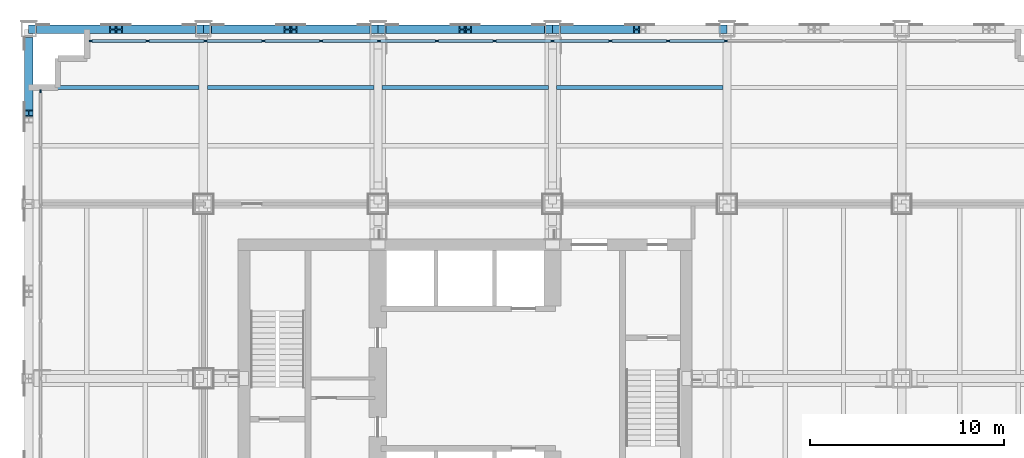
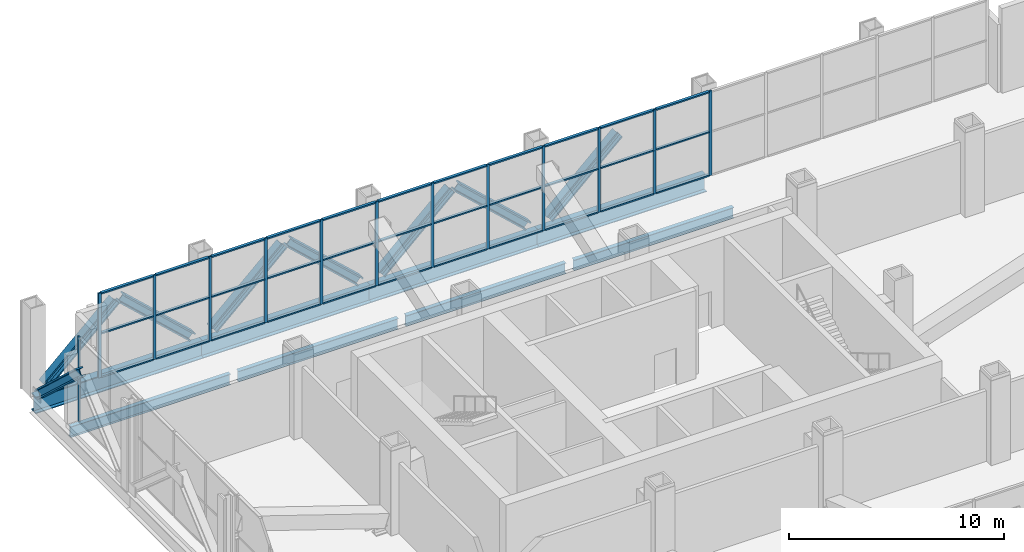
# One storey, part 8 of 19: 54 members, 8 beams, 2 elements without a shape of their own.
"""IFC4 building model written with IfcOpenShell, lengths in metres."""

from ifc_helpers import new_model, si_unit, direction, frame, origin, origin_2d, place, context, subcontext, project, spatial, rectangle, i_section, extrude, material, material_profile, profile_set, type_object, element, aggregate, save


model = new_model("IFC4")

# Units and contexts
model_context = context("Model", 3, precision=1e-05, world=origin(), true_north=direction((0.0, 1.0)))
body_context = subcontext(model_context, "Body", "Model", "MODEL_VIEW")
ifc_project = project(units=[si_unit("LENGTHUNIT", "METRE"), si_unit("AREAUNIT", "SQUARE_METRE"), si_unit("VOLUMEUNIT", "CUBIC_METRE"), si_unit("PLANEANGLEUNIT", "RADIAN"), si_unit("MASSUNIT", "GRAM", prefix="KILO")], contexts=[model_context])

# Site, building, storey
site_placement = place(None, origin())
site = spatial("IfcSite", under=ifc_project, at=site_placement, CompositionType="ELEMENT")
building_placement = place(site_placement, origin())
building = spatial("IfcBuilding", under=site, at=building_placement, Name="Loomwork Tower", CompositionType="ELEMENT")
storey_placement = place(building_placement, frame((0.0, 0.0, 89.199951171875)))
storey = spatial("IfcBuildingStorey", under=building, at=storey_placement, Name="L23", CompositionType="ELEMENT", Elevation=89.199951171875)

# Beams
ifc_material_1 = material(Name="Steel ASTM A992", Category="steel")
ifc_material_profile_1 = material_profile(ifc_material_1, i_section(OverallWidth=0.424072265625, OverallDepth=0.947509765625, WebThickness=0.02392578125, FlangeThickness=0.042724609375, at=origin_2d()), Name="W36x302")
ifc_profile_set_1 = profile_set([ifc_material_profile_1], Name="Steel ASTM A992")
beam_type_1 = type_object("IfcBeamType", Name="BELT CHORD SPANDREL W36x302", PredefinedType="SPANDREL", material=ifc_profile_set_1)
for number, where, z_axis, x_axis, name in (
    (1, (0.0, 36.0, -0.7236328125), (1.0, 0.0, 0.0), (0.0, 1.0, 0.0), "Belt Chord Spandrel H/2-H/3 L23"),
    (2, (9.0, 36.0, -0.7236328125), (1.0, 0.0, 0.0), (0.0, 1.0, 0.0), "Belt Chord Spandrel H/3-H/4 L23"),
    (3, (18.0, 36.0, -0.7236328125), (1.0, 0.0, 0.0), (0.0, 1.0, 0.0), "Belt Chord Spandrel H/4-H/5 L23"),
    (4, (27.0, 36.0, -0.7236328125), (1.0, 0.0, 0.0), (0.0, 1.0, 0.0), "Belt Chord Spandrel H/5-H/6 L23"),
):
    element("IfcBeam", number, at=place(storey_placement, frame(where, z_axis=z_axis, x_axis=x_axis)), inside=storey, type_object=beam_type_1, Name=name, PredefinedType="SPANDREL", context=body_context, shape_type="SweptSolid", body=[
        extrude(i_section(OverallWidth=0.424072265625, OverallDepth=0.947509765625, WebThickness=0.02392578125, FlangeThickness=0.042724609375, at=origin_2d()), origin(), (0.0, 0.0, 1.0), 9.0),
    ])

# Members
ifc_material_2 = material(Name="Steel ASTM A992", Category="steel")
ifc_material_profile_2 = material_profile(ifc_material_2, i_section(OverallWidth=0.424072265625, OverallDepth=0.47509765625, WebThickness=0.0478515625, FlangeThickness=0.0771484375, at=origin_2d()), Name="W14x426")
ifc_profile_set_2 = profile_set([ifc_material_profile_2], Name="Steel ASTM A992")
member_type_1 = type_object("IfcMemberType", Name="BELT TRUSS DIAGONAL W14x426", PredefinedType="BRACE", material=ifc_profile_set_2)
for number, where, z_axis, x_axis, name in (
    (5, (0.5712890625, 36.0, 0.184326171875), (0.733437826244, 0.0, 0.679756541001), (0.0, 1.0, 0.0), "Belt truss diagonal H/2-H/3 L23"),
    (6, (8.4287109375, 36.0, 0.184326171875), (-0.733437826244, 0.0, 0.679756541001), (0.0, -1.0, 0.0), "Belt truss diagonal H/2-H/3 L23"),
    (7, (9.5712890625, 36.0, 0.184326171875), (0.733437826244, 0.0, 0.679756541001), (0.0, 1.0, 0.0), "Belt truss diagonal H/3-H/4 L23"),
    (8, (17.4287109375, 36.0, 0.184326171875), (-0.733437826244, 0.0, 0.679756541001), (0.0, -1.0, 0.0), "Belt truss diagonal H/3-H/4 L23"),
    (9, (18.5712890625, 36.0, 0.184326171875), (0.733437826244, 0.0, 0.679756541001), (0.0, 1.0, 0.0), "Belt truss diagonal H/4-H/5 L23"),
    (10, (26.4287109375, 36.0, 0.184326171875), (-0.733437826244, 0.0, 0.679756541001), (0.0, -1.0, 0.0), "Belt truss diagonal H/4-H/5 L23"),
    (11, (27.5712890625, 36.0, 0.184326171875), (0.733437826244, 0.0, 0.679756541001), (0.0, 1.0, 0.0), "Belt truss diagonal H/5-H/6 L23"),
    (12, (0.0, 35.4287109375, 0.184326171875), (0.0, -0.733437826244, 0.679756541001), (1.0, 0.0, 0.0), "Belt truss diagonal G/2-H/2 L23"),
):
    element("IfcMember", number, at=place(storey_placement, frame(where, z_axis=z_axis, x_axis=x_axis)), inside=storey, type_object=member_type_1, Name=name, PredefinedType="BRACE", context=body_context, shape_type="SweptSolid", body=[
        extrude(i_section(OverallWidth=0.424072265625, OverallDepth=0.47509765625, WebThickness=0.0478515625, FlangeThickness=0.0771484375, at=origin_2d()), origin(), (0.0, 0.0, 1.0), 5.12548828125),
    ])

# Beams
ifc_material_3 = material(Name="Steel ASTM A992", Category="steel")
ifc_material_profile_3 = material_profile(ifc_material_3, i_section(OverallWidth=0.228271484375, OverallDepth=0.607177734375, WebThickness=0.01123046875, FlangeThickness=0.017333984375, at=origin_2d()), Name="W24x76")
ifc_profile_set_3 = profile_set([ifc_material_profile_3], Name="Steel ASTM A992")
beam_type_2 = type_object("IfcBeamType", Name="PLANT FLOOR JOIST W24x76", PredefinedType="JOIST", material=ifc_profile_set_3)
for number, where, z_axis, x_axis, name in (
    (13, (0.2119140625, 33.0, -0.553466796875), (1.0, 0.0, 0.0), (0.0, 1.0, 0.0), "Plant Floor Joist 0.000,33.000-9.000,33.000 L23"),
    (14, (9.212890625, 33.0, -0.553466796875), (1.0, 0.0, 0.0), (0.0, 1.0, 0.0), "Plant Floor Joist 9.000,33.000-18.000,33.000 L23"),
):
    element("IfcBeam", number, at=place(storey_placement, frame(where, z_axis=z_axis, x_axis=x_axis)), inside=storey, type_object=beam_type_2, Name=name, PredefinedType="JOIST", context=body_context, shape_type="SweptSolid", body=[
        extrude(i_section(OverallWidth=0.228271484375, OverallDepth=0.607177734375, WebThickness=0.01123046875, FlangeThickness=0.017333984375, at=origin_2d()), origin(), (0.0, 0.0, 1.0), 8.5751953125),
    ])
beam_1_placement = place(storey_placement, frame((18.2119140625, 33.0, -0.553466796875), z_axis=(1.0, 0.0, 0.0), x_axis=(0.0, 1.0, 0.0)))
element("IfcBeam", 15, at=beam_1_placement, inside=storey, type_object=beam_type_2, Name="Plant Floor Joist 18.000,33.000-27.000,33.000 L23", PredefinedType="JOIST", context=body_context, shape_type="SweptSolid", body=[
    extrude(i_section(OverallWidth=0.228271484375, OverallDepth=0.607177734375, WebThickness=0.01123046875, FlangeThickness=0.017333984375, at=origin_2d()), origin(), (0.0, 0.0, 1.0), 8.576171875),
])
beam_2_placement = place(storey_placement, frame((27.2119140625, 33.0, -0.553466796875), z_axis=(1.0, 0.0, 0.0), x_axis=(0.0, 1.0, 0.0)))
element("IfcBeam", 16, at=beam_2_placement, inside=storey, type_object=beam_type_2, Name="Plant Floor Joist 27.000,33.000-36.000,33.000 L23", PredefinedType="JOIST", context=body_context, shape_type="SweptSolid", body=[
    extrude(i_section(OverallWidth=0.228271484375, OverallDepth=0.607177734375, WebThickness=0.01123046875, FlangeThickness=0.017333984375, at=origin_2d()), origin(), (0.0, 0.0, 1.0), 8.5751953125),
])

# Curtain wall, members
ifc_material_4 = material(Name="Aluminium louvre frame", Category="aluminium")
curtain_wall_type = type_object("IfcCurtainWallType", Name="Plant floor louvre screen", PredefinedType="NOTDEFINED", material=ifc_material_4)
curtain_wall_1_placement = place(storey_placement, origin())
curtain_wall_1 = element("IfcCurtainWall", 17, at=curtain_wall_1_placement, inside=storey, type_object=curtain_wall_type, Name="Plant floor louvre screen cw/N", PredefinedType="NOTDEFINED")
ifc_material_5 = material(Name="Aluminium louvre frame", Category="aluminium")
ifc_material_profile_4 = material_profile(ifc_material_5, rectangle(XDim=0.080078125, YDim=0.14990234375, at=origin_2d()), Name="AL 80x150")
ifc_profile_set_4 = profile_set([ifc_material_profile_4], Name="Aluminium louvre frame")
member_type_2 = type_object("IfcMemberType", Name="Plant floor louvre screen mullion", PredefinedType="MULLION", material=ifc_profile_set_4)
member_1_placement = place(storey_placement, frame((35.94384765625, 35.39990234375, 0.0), z_axis=(0.0, 0.0, 1.0), x_axis=(0.0, -1.0, 0.0)))
member_1 = element("IfcMember", 18, at=member_1_placement, type_object=member_type_2, Name="CW4 mullion 6", PredefinedType="MULLION", context=body_context, shape_type="SweptSolid", body=[
    extrude(rectangle(XDim=0.080078125, YDim=0.14990234375, at=origin_2d()), origin(), (0.0, 0.0, 1.0), 4.800048828125),
])
member_2_placement = place(storey_placement, frame((32.96240234375, 35.39990234375, 0.0), z_axis=(0.0, 0.0, 1.0), x_axis=(0.0, -1.0, 0.0)))
member_2 = element("IfcMember", 19, at=member_2_placement, type_object=member_type_2, Name="CW4 mullion 7", PredefinedType="MULLION", context=body_context, shape_type="SweptSolid", body=[
    extrude(rectangle(XDim=0.080078125, YDim=0.14990234375, at=origin_2d()), origin(), (0.0, 0.0, 1.0), 4.800048828125),
])
member_3_placement = place(storey_placement, frame((29.981201171875, 35.39990234375, 0.0), z_axis=(0.0, 0.0, 1.0), x_axis=(0.0, -1.0, 0.0)))
member_3 = element("IfcMember", 20, at=member_3_placement, type_object=member_type_2, Name="CW4 mullion 8", PredefinedType="MULLION", context=body_context, shape_type="SweptSolid", body=[
    extrude(rectangle(XDim=0.080078125, YDim=0.14990234375, at=origin_2d()), origin(), (0.0, 0.0, 1.0), 4.800048828125),
])
member_4_placement = place(storey_placement, frame((27.0, 35.39990234375, 0.0), z_axis=(0.0, 0.0, 1.0), x_axis=(0.0, -1.0, 0.0)))
member_4 = element("IfcMember", 21, at=member_4_placement, type_object=member_type_2, Name="CW4 mullion 9", PredefinedType="MULLION", context=body_context, shape_type="SweptSolid", body=[
    extrude(rectangle(XDim=0.080078125, YDim=0.14990234375, at=origin_2d()), origin(), (0.0, 0.0, 1.0), 4.800048828125),
])
member_5_placement = place(storey_placement, frame((24.018798828125, 35.39990234375, 0.0), z_axis=(0.0, 0.0, 1.0), x_axis=(0.0, -1.0, 0.0)))
member_5 = element("IfcMember", 22, at=member_5_placement, type_object=member_type_2, Name="CW4 mullion 10", PredefinedType="MULLION", context=body_context, shape_type="SweptSolid", body=[
    extrude(rectangle(XDim=0.080078125, YDim=0.14990234375, at=origin_2d()), origin(), (0.0, 0.0, 1.0), 4.800048828125),
])
member_6_placement = place(storey_placement, frame((21.03759765625, 35.39990234375, 0.0), z_axis=(0.0, 0.0, 1.0), x_axis=(0.0, -1.0, 0.0)))
member_6 = element("IfcMember", 23, at=member_6_placement, type_object=member_type_2, Name="CW4 mullion 11", PredefinedType="MULLION", context=body_context, shape_type="SweptSolid", body=[
    extrude(rectangle(XDim=0.080078125, YDim=0.14990234375, at=origin_2d()), origin(), (0.0, 0.0, 1.0), 4.800048828125),
])
member_7_placement = place(storey_placement, frame((18.05615234375, 35.39990234375, 0.0), z_axis=(0.0, 0.0, 1.0), x_axis=(0.0, -1.0, 0.0)))
member_7 = element("IfcMember", 24, at=member_7_placement, type_object=member_type_2, Name="CW4 mullion 12", PredefinedType="MULLION", context=body_context, shape_type="SweptSolid", body=[
    extrude(rectangle(XDim=0.080078125, YDim=0.14990234375, at=origin_2d()), origin(), (0.0, 0.0, 1.0), 4.800048828125),
])
member_8_placement = place(storey_placement, frame((15.074951171875, 35.39990234375, 0.0), z_axis=(0.0, 0.0, 1.0), x_axis=(0.0, -1.0, 0.0)))
member_8 = element("IfcMember", 25, at=member_8_placement, type_object=member_type_2, Name="CW4 mullion 13", PredefinedType="MULLION", context=body_context, shape_type="SweptSolid", body=[
    extrude(rectangle(XDim=0.080078125, YDim=0.14990234375, at=origin_2d()), origin(), (0.0, 0.0, 1.0), 4.800048828125),
])
member_9_placement = place(storey_placement, frame((12.09375, 35.39990234375, 0.0), z_axis=(0.0, 0.0, 1.0), x_axis=(0.0, -1.0, 0.0)))
member_9 = element("IfcMember", 26, at=member_9_placement, type_object=member_type_2, Name="CW4 mullion 14", PredefinedType="MULLION", context=body_context, shape_type="SweptSolid", body=[
    extrude(rectangle(XDim=0.080078125, YDim=0.14990234375, at=origin_2d()), origin(), (0.0, 0.0, 1.0), 4.800048828125),
])
member_10_placement = place(storey_placement, frame((9.112548828125, 35.39990234375, 0.0), z_axis=(0.0, 0.0, 1.0), x_axis=(0.0, -1.0, 0.0)))
member_10 = element("IfcMember", 27, at=member_10_placement, type_object=member_type_2, Name="CW4 mullion 15", PredefinedType="MULLION", context=body_context, shape_type="SweptSolid", body=[
    extrude(rectangle(XDim=0.080078125, YDim=0.14990234375, at=origin_2d()), origin(), (0.0, 0.0, 1.0), 4.800048828125),
])
member_11_placement = place(storey_placement, frame((6.13134765625, 35.39990234375, 0.0), z_axis=(0.0, 0.0, 1.0), x_axis=(0.0, -1.0, 0.0)))
member_11 = element("IfcMember", 28, at=member_11_placement, type_object=member_type_2, Name="CW4 mullion 16", PredefinedType="MULLION", context=body_context, shape_type="SweptSolid", body=[
    extrude(rectangle(XDim=0.080078125, YDim=0.14990234375, at=origin_2d()), origin(), (0.0, 0.0, 1.0), 4.800048828125),
])
member_12_placement = place(storey_placement, frame((3.18994140625, 35.39990234375, 0.0), z_axis=(0.0, 0.0, 1.0), x_axis=(0.0, -1.0, 0.0)))
member_12 = element("IfcMember", 29, at=member_12_placement, type_object=member_type_2, Name="CW4 mullion 17", PredefinedType="MULLION", context=body_context, shape_type="SweptSolid", body=[
    extrude(rectangle(XDim=0.080078125, YDim=0.14990234375, at=origin_2d()), origin(), (0.0, 0.0, 1.0), 4.800048828125),
])

# Curtain wall, member
curtain_wall_2_placement = place(storey_placement, origin())
curtain_wall_2 = element("IfcCurtainWall", 30, at=curtain_wall_2_placement, inside=storey, type_object=curtain_wall_type, Name="Plant floor louvre screen cw/W", PredefinedType="NOTDEFINED")
member_13_placement = place(storey_placement, frame((0.60009765625, 32.81005859375, 0.0), z_axis=(0.0, 0.0, 1.0), x_axis=(1.0, 0.0, 0.0)))
member_13 = element("IfcMember", 31, at=member_13_placement, type_object=member_type_2, Name="CW4 mullion 1", PredefinedType="MULLION", context=body_context, shape_type="SweptSolid", body=[
    extrude(rectangle(XDim=0.080078125, YDim=0.14990234375, at=origin_2d()), origin(), (0.0, 0.0, 1.0), 4.800048828125),
])
aggregate(curtain_wall_2, [member_13])

# Member
ifc_material_6 = material(Name="Aluminium louvre frame", Category="aluminium")
ifc_material_profile_5 = material_profile(ifc_material_6, rectangle(XDim=0.14990234375, YDim=0.080078125, at=origin_2d()), Name="AL 80x150")
ifc_profile_set_5 = profile_set([ifc_material_profile_5], Name="Aluminium louvre frame")
member_type_3 = type_object("IfcMemberType", Name="Plant floor louvre screen transom", PredefinedType="USERDEFINED", material=ifc_profile_set_5)
member_14_placement = place(storey_placement, frame((35.86865234375, 35.39990234375, 0.0400390625), z_axis=(-1.0, 0.0, 0.0), x_axis=(0.0, -1.0, 0.0)))
member_14 = element("IfcMember", 32, at=member_14_placement, type_object=member_type_3, Name="CW4 transom 6.1", ObjectType="TRANSOM", PredefinedType="USERDEFINED", context=body_context, shape_type="SweptSolid", body=[
    extrude(rectangle(XDim=0.14990234375, YDim=0.080078125, at=origin_2d()), origin(), (0.0, 0.0, 1.0), 2.8310546875),
])

member_15_placement = place(storey_placement, frame((35.86865234375, 35.39990234375, 2.5), z_axis=(-1.0, 0.0, 0.0), x_axis=(0.0, -1.0, 0.0)))
member_15 = element("IfcMember", 33, at=member_15_placement, type_object=member_type_3, Name="CW4 transom 6.2", ObjectType="TRANSOM", PredefinedType="USERDEFINED", context=body_context, shape_type="SweptSolid", body=[
    extrude(rectangle(XDim=0.14990234375, YDim=0.080078125, at=origin_2d()), origin(), (0.0, 0.0, 1.0), 2.8310546875),
])

member_16_placement = place(storey_placement, frame((35.86865234375, 35.39990234375, 4.760009765625), z_axis=(-1.0, 0.0, 0.0), x_axis=(0.0, -1.0, 0.0)))
member_16 = element("IfcMember", 34, at=member_16_placement, type_object=member_type_3, Name="CW4 transom 6.3", ObjectType="TRANSOM", PredefinedType="USERDEFINED", context=body_context, shape_type="SweptSolid", body=[
    extrude(rectangle(XDim=0.14990234375, YDim=0.080078125, at=origin_2d()), origin(), (0.0, 0.0, 1.0), 2.8310546875),
])

member_17_placement = place(storey_placement, frame((32.887451171875, 35.39990234375, 0.0400390625), z_axis=(-1.0, 0.0, 0.0), x_axis=(0.0, -1.0, 0.0)))
member_17 = element("IfcMember", 35, at=member_17_placement, type_object=member_type_3, Name="CW4 transom 7.1", ObjectType="TRANSOM", PredefinedType="USERDEFINED", context=body_context, shape_type="SweptSolid", body=[
    extrude(rectangle(XDim=0.14990234375, YDim=0.080078125, at=origin_2d()), origin(), (0.0, 0.0, 1.0), 2.831298828125),
])

member_18_placement = place(storey_placement, frame((32.887451171875, 35.39990234375, 2.5), z_axis=(-1.0, 0.0, 0.0), x_axis=(0.0, -1.0, 0.0)))
member_18 = element("IfcMember", 36, at=member_18_placement, type_object=member_type_3, Name="CW4 transom 7.2", ObjectType="TRANSOM", PredefinedType="USERDEFINED", context=body_context, shape_type="SweptSolid", body=[
    extrude(rectangle(XDim=0.14990234375, YDim=0.080078125, at=origin_2d()), origin(), (0.0, 0.0, 1.0), 2.831298828125),
])

member_19_placement = place(storey_placement, frame((32.887451171875, 35.39990234375, 4.760009765625), z_axis=(-1.0, 0.0, 0.0), x_axis=(0.0, -1.0, 0.0)))
member_19 = element("IfcMember", 37, at=member_19_placement, type_object=member_type_3, Name="CW4 transom 7.3", ObjectType="TRANSOM", PredefinedType="USERDEFINED", context=body_context, shape_type="SweptSolid", body=[
    extrude(rectangle(XDim=0.14990234375, YDim=0.080078125, at=origin_2d()), origin(), (0.0, 0.0, 1.0), 2.831298828125),
])

member_20_placement = place(storey_placement, frame((29.90625, 35.39990234375, 0.0400390625), z_axis=(-1.0, 0.0, 0.0), x_axis=(0.0, -1.0, 0.0)))
member_20 = element("IfcMember", 38, at=member_20_placement, type_object=member_type_3, Name="CW4 transom 8.1", ObjectType="TRANSOM", PredefinedType="USERDEFINED", context=body_context, shape_type="SweptSolid", body=[
    extrude(rectangle(XDim=0.14990234375, YDim=0.080078125, at=origin_2d()), origin(), (0.0, 0.0, 1.0), 2.831298828125),
])

member_21_placement = place(storey_placement, frame((29.90625, 35.39990234375, 2.5), z_axis=(-1.0, 0.0, 0.0), x_axis=(0.0, -1.0, 0.0)))
member_21 = element("IfcMember", 39, at=member_21_placement, type_object=member_type_3, Name="CW4 transom 8.2", ObjectType="TRANSOM", PredefinedType="USERDEFINED", context=body_context, shape_type="SweptSolid", body=[
    extrude(rectangle(XDim=0.14990234375, YDim=0.080078125, at=origin_2d()), origin(), (0.0, 0.0, 1.0), 2.831298828125),
])

member_22_placement = place(storey_placement, frame((29.90625, 35.39990234375, 4.760009765625), z_axis=(-1.0, 0.0, 0.0), x_axis=(0.0, -1.0, 0.0)))
member_22 = element("IfcMember", 40, at=member_22_placement, type_object=member_type_3, Name="CW4 transom 8.3", ObjectType="TRANSOM", PredefinedType="USERDEFINED", context=body_context, shape_type="SweptSolid", body=[
    extrude(rectangle(XDim=0.14990234375, YDim=0.080078125, at=origin_2d()), origin(), (0.0, 0.0, 1.0), 2.831298828125),
])

member_23_placement = place(storey_placement, frame((26.925048828125, 35.39990234375, 0.0400390625), z_axis=(-1.0, 0.0, 0.0), x_axis=(0.0, -1.0, 0.0)))
member_23 = element("IfcMember", 41, at=member_23_placement, type_object=member_type_3, Name="CW4 transom 9.1", ObjectType="TRANSOM", PredefinedType="USERDEFINED", context=body_context, shape_type="SweptSolid", body=[
    extrude(rectangle(XDim=0.14990234375, YDim=0.080078125, at=origin_2d()), origin(), (0.0, 0.0, 1.0), 2.831298828125),
])

member_24_placement = place(storey_placement, frame((26.925048828125, 35.39990234375, 2.5), z_axis=(-1.0, 0.0, 0.0), x_axis=(0.0, -1.0, 0.0)))
member_24 = element("IfcMember", 42, at=member_24_placement, type_object=member_type_3, Name="CW4 transom 9.2", ObjectType="TRANSOM", PredefinedType="USERDEFINED", context=body_context, shape_type="SweptSolid", body=[
    extrude(rectangle(XDim=0.14990234375, YDim=0.080078125, at=origin_2d()), origin(), (0.0, 0.0, 1.0), 2.831298828125),
])

member_25_placement = place(storey_placement, frame((26.925048828125, 35.39990234375, 4.760009765625), z_axis=(-1.0, 0.0, 0.0), x_axis=(0.0, -1.0, 0.0)))
member_25 = element("IfcMember", 43, at=member_25_placement, type_object=member_type_3, Name="CW4 transom 9.3", ObjectType="TRANSOM", PredefinedType="USERDEFINED", context=body_context, shape_type="SweptSolid", body=[
    extrude(rectangle(XDim=0.14990234375, YDim=0.080078125, at=origin_2d()), origin(), (0.0, 0.0, 1.0), 2.831298828125),
])

member_26_placement = place(storey_placement, frame((23.94384765625, 35.39990234375, 0.0400390625), z_axis=(-1.0, 0.0, 0.0), x_axis=(0.0, -1.0, 0.0)))
member_26 = element("IfcMember", 44, at=member_26_placement, type_object=member_type_3, Name="CW4 transom 10.1", ObjectType="TRANSOM", PredefinedType="USERDEFINED", context=body_context, shape_type="SweptSolid", body=[
    extrude(rectangle(XDim=0.14990234375, YDim=0.080078125, at=origin_2d()), origin(), (0.0, 0.0, 1.0), 2.831298828125),
])

member_27_placement = place(storey_placement, frame((23.94384765625, 35.39990234375, 2.5), z_axis=(-1.0, 0.0, 0.0), x_axis=(0.0, -1.0, 0.0)))
member_27 = element("IfcMember", 45, at=member_27_placement, type_object=member_type_3, Name="CW4 transom 10.2", ObjectType="TRANSOM", PredefinedType="USERDEFINED", context=body_context, shape_type="SweptSolid", body=[
    extrude(rectangle(XDim=0.14990234375, YDim=0.080078125, at=origin_2d()), origin(), (0.0, 0.0, 1.0), 2.831298828125),
])

member_28_placement = place(storey_placement, frame((23.94384765625, 35.39990234375, 4.760009765625), z_axis=(-1.0, 0.0, 0.0), x_axis=(0.0, -1.0, 0.0)))
member_28 = element("IfcMember", 46, at=member_28_placement, type_object=member_type_3, Name="CW4 transom 10.3", ObjectType="TRANSOM", PredefinedType="USERDEFINED", context=body_context, shape_type="SweptSolid", body=[
    extrude(rectangle(XDim=0.14990234375, YDim=0.080078125, at=origin_2d()), origin(), (0.0, 0.0, 1.0), 2.831298828125),
])

member_29_placement = place(storey_placement, frame((20.96240234375, 35.39990234375, 0.0400390625), z_axis=(-1.0, 0.0, 0.0), x_axis=(0.0, -1.0, 0.0)))
member_29 = element("IfcMember", 47, at=member_29_placement, type_object=member_type_3, Name="CW4 transom 11.1", ObjectType="TRANSOM", PredefinedType="USERDEFINED", context=body_context, shape_type="SweptSolid", body=[
    extrude(rectangle(XDim=0.14990234375, YDim=0.080078125, at=origin_2d()), origin(), (0.0, 0.0, 1.0), 2.8310546875),
])

member_30_placement = place(storey_placement, frame((20.96240234375, 35.39990234375, 2.5), z_axis=(-1.0, 0.0, 0.0), x_axis=(0.0, -1.0, 0.0)))
member_30 = element("IfcMember", 48, at=member_30_placement, type_object=member_type_3, Name="CW4 transom 11.2", ObjectType="TRANSOM", PredefinedType="USERDEFINED", context=body_context, shape_type="SweptSolid", body=[
    extrude(rectangle(XDim=0.14990234375, YDim=0.080078125, at=origin_2d()), origin(), (0.0, 0.0, 1.0), 2.8310546875),
])

member_31_placement = place(storey_placement, frame((20.96240234375, 35.39990234375, 4.760009765625), z_axis=(-1.0, 0.0, 0.0), x_axis=(0.0, -1.0, 0.0)))
member_31 = element("IfcMember", 49, at=member_31_placement, type_object=member_type_3, Name="CW4 transom 11.3", ObjectType="TRANSOM", PredefinedType="USERDEFINED", context=body_context, shape_type="SweptSolid", body=[
    extrude(rectangle(XDim=0.14990234375, YDim=0.080078125, at=origin_2d()), origin(), (0.0, 0.0, 1.0), 2.8310546875),
])

member_32_placement = place(storey_placement, frame((17.981201171875, 35.39990234375, 0.0400390625), z_axis=(-1.0, 0.0, 0.0), x_axis=(0.0, -1.0, 0.0)))
member_32 = element("IfcMember", 50, at=member_32_placement, type_object=member_type_3, Name="CW4 transom 12.1", ObjectType="TRANSOM", PredefinedType="USERDEFINED", context=body_context, shape_type="SweptSolid", body=[
    extrude(rectangle(XDim=0.14990234375, YDim=0.080078125, at=origin_2d()), origin(), (0.0, 0.0, 1.0), 2.831298828125),
])

member_33_placement = place(storey_placement, frame((17.981201171875, 35.39990234375, 2.5), z_axis=(-1.0, 0.0, 0.0), x_axis=(0.0, -1.0, 0.0)))
member_33 = element("IfcMember", 51, at=member_33_placement, type_object=member_type_3, Name="CW4 transom 12.2", ObjectType="TRANSOM", PredefinedType="USERDEFINED", context=body_context, shape_type="SweptSolid", body=[
    extrude(rectangle(XDim=0.14990234375, YDim=0.080078125, at=origin_2d()), origin(), (0.0, 0.0, 1.0), 2.831298828125),
])

member_34_placement = place(storey_placement, frame((17.981201171875, 35.39990234375, 4.760009765625), z_axis=(-1.0, 0.0, 0.0), x_axis=(0.0, -1.0, 0.0)))
member_34 = element("IfcMember", 52, at=member_34_placement, type_object=member_type_3, Name="CW4 transom 12.3", ObjectType="TRANSOM", PredefinedType="USERDEFINED", context=body_context, shape_type="SweptSolid", body=[
    extrude(rectangle(XDim=0.14990234375, YDim=0.080078125, at=origin_2d()), origin(), (0.0, 0.0, 1.0), 2.831298828125),
])

member_35_placement = place(storey_placement, frame((15.0, 35.39990234375, 0.0400390625), z_axis=(-1.0, 0.0, 0.0), x_axis=(0.0, -1.0, 0.0)))
member_35 = element("IfcMember", 53, at=member_35_placement, type_object=member_type_3, Name="CW4 transom 13.1", ObjectType="TRANSOM", PredefinedType="USERDEFINED", context=body_context, shape_type="SweptSolid", body=[
    extrude(rectangle(XDim=0.14990234375, YDim=0.080078125, at=origin_2d()), origin(), (0.0, 0.0, 1.0), 2.831298828125),
])

member_36_placement = place(storey_placement, frame((15.0, 35.39990234375, 2.5), z_axis=(-1.0, 0.0, 0.0), x_axis=(0.0, -1.0, 0.0)))
member_36 = element("IfcMember", 54, at=member_36_placement, type_object=member_type_3, Name="CW4 transom 13.2", ObjectType="TRANSOM", PredefinedType="USERDEFINED", context=body_context, shape_type="SweptSolid", body=[
    extrude(rectangle(XDim=0.14990234375, YDim=0.080078125, at=origin_2d()), origin(), (0.0, 0.0, 1.0), 2.831298828125),
])

member_37_placement = place(storey_placement, frame((15.0, 35.39990234375, 4.760009765625), z_axis=(-1.0, 0.0, 0.0), x_axis=(0.0, -1.0, 0.0)))
member_37 = element("IfcMember", 55, at=member_37_placement, type_object=member_type_3, Name="CW4 transom 13.3", ObjectType="TRANSOM", PredefinedType="USERDEFINED", context=body_context, shape_type="SweptSolid", body=[
    extrude(rectangle(XDim=0.14990234375, YDim=0.080078125, at=origin_2d()), origin(), (0.0, 0.0, 1.0), 2.831298828125),
])

member_38_placement = place(storey_placement, frame((12.018798828125, 35.39990234375, 0.0400390625), z_axis=(-1.0, 0.0, 0.0), x_axis=(0.0, -1.0, 0.0)))
member_38 = element("IfcMember", 56, at=member_38_placement, type_object=member_type_3, Name="CW4 transom 14.1", ObjectType="TRANSOM", PredefinedType="USERDEFINED", context=body_context, shape_type="SweptSolid", body=[
    extrude(rectangle(XDim=0.14990234375, YDim=0.080078125, at=origin_2d()), origin(), (0.0, 0.0, 1.0), 2.831298828125),
])

member_39_placement = place(storey_placement, frame((12.018798828125, 35.39990234375, 2.5), z_axis=(-1.0, 0.0, 0.0), x_axis=(0.0, -1.0, 0.0)))
member_39 = element("IfcMember", 57, at=member_39_placement, type_object=member_type_3, Name="CW4 transom 14.2", ObjectType="TRANSOM", PredefinedType="USERDEFINED", context=body_context, shape_type="SweptSolid", body=[
    extrude(rectangle(XDim=0.14990234375, YDim=0.080078125, at=origin_2d()), origin(), (0.0, 0.0, 1.0), 2.831298828125),
])

member_40_placement = place(storey_placement, frame((12.018798828125, 35.39990234375, 4.760009765625), z_axis=(-1.0, 0.0, 0.0), x_axis=(0.0, -1.0, 0.0)))
member_40 = element("IfcMember", 58, at=member_40_placement, type_object=member_type_3, Name="CW4 transom 14.3", ObjectType="TRANSOM", PredefinedType="USERDEFINED", context=body_context, shape_type="SweptSolid", body=[
    extrude(rectangle(XDim=0.14990234375, YDim=0.080078125, at=origin_2d()), origin(), (0.0, 0.0, 1.0), 2.831298828125),
])

member_41_placement = place(storey_placement, frame((9.03759765625, 35.39990234375, 0.0400390625), z_axis=(-1.0, 0.0, 0.0), x_axis=(0.0, -1.0, 0.0)))
member_41 = element("IfcMember", 59, at=member_41_placement, type_object=member_type_3, Name="CW4 transom 15.1", ObjectType="TRANSOM", PredefinedType="USERDEFINED", context=body_context, shape_type="SweptSolid", body=[
    extrude(rectangle(XDim=0.14990234375, YDim=0.080078125, at=origin_2d()), origin(), (0.0, 0.0, 1.0), 2.831298828125),
])

member_42_placement = place(storey_placement, frame((9.03759765625, 35.39990234375, 2.5), z_axis=(-1.0, 0.0, 0.0), x_axis=(0.0, -1.0, 0.0)))
member_42 = element("IfcMember", 60, at=member_42_placement, type_object=member_type_3, Name="CW4 transom 15.2", ObjectType="TRANSOM", PredefinedType="USERDEFINED", context=body_context, shape_type="SweptSolid", body=[
    extrude(rectangle(XDim=0.14990234375, YDim=0.080078125, at=origin_2d()), origin(), (0.0, 0.0, 1.0), 2.831298828125),
])

member_43_placement = place(storey_placement, frame((9.03759765625, 35.39990234375, 4.760009765625), z_axis=(-1.0, 0.0, 0.0), x_axis=(0.0, -1.0, 0.0)))
member_43 = element("IfcMember", 61, at=member_43_placement, type_object=member_type_3, Name="CW4 transom 15.3", ObjectType="TRANSOM", PredefinedType="USERDEFINED", context=body_context, shape_type="SweptSolid", body=[
    extrude(rectangle(XDim=0.14990234375, YDim=0.080078125, at=origin_2d()), origin(), (0.0, 0.0, 1.0), 2.831298828125),
])

member_44_placement = place(storey_placement, frame((6.05615234375, 35.39990234375, 0.0400390625), z_axis=(-1.0, 0.0, 0.0), x_axis=(0.0, -1.0, 0.0)))
member_44 = element("IfcMember", 62, at=member_44_placement, type_object=member_type_3, Name="CW4 transom 16.1", ObjectType="TRANSOM", PredefinedType="USERDEFINED", context=body_context, shape_type="SweptSolid", body=[
    extrude(rectangle(XDim=0.14990234375, YDim=0.080078125, at=origin_2d()), origin(), (0.0, 0.0, 1.0), 2.791259765625),
])

member_45_placement = place(storey_placement, frame((6.05615234375, 35.39990234375, 2.5), z_axis=(-1.0, 0.0, 0.0), x_axis=(0.0, -1.0, 0.0)))
member_45 = element("IfcMember", 63, at=member_45_placement, type_object=member_type_3, Name="CW4 transom 16.2", ObjectType="TRANSOM", PredefinedType="USERDEFINED", context=body_context, shape_type="SweptSolid", body=[
    extrude(rectangle(XDim=0.14990234375, YDim=0.080078125, at=origin_2d()), origin(), (0.0, 0.0, 1.0), 2.791259765625),
])

member_46_placement = place(storey_placement, frame((6.05615234375, 35.39990234375, 4.760009765625), z_axis=(-1.0, 0.0, 0.0), x_axis=(0.0, -1.0, 0.0)))
member_46 = element("IfcMember", 64, at=member_46_placement, type_object=member_type_3, Name="CW4 transom 16.3", ObjectType="TRANSOM", PredefinedType="USERDEFINED", context=body_context, shape_type="SweptSolid", body=[
    extrude(rectangle(XDim=0.14990234375, YDim=0.080078125, at=origin_2d()), origin(), (0.0, 0.0, 1.0), 2.791259765625),
])

aggregate(curtain_wall_1, [member_1, member_2, member_3, member_4, member_5, member_6, member_7, member_8, member_9, member_10, member_11, member_12, member_14, member_15, member_16, member_17, member_18, member_19, member_20, member_21, member_22, member_23, member_24, member_25, member_26, member_27, member_28, member_29, member_30, member_31, member_32, member_33, member_34, member_35, member_36, member_37, member_38, member_39, member_40, member_41, member_42, member_43, member_44, member_45, member_46])

save(model, "model.ifc")
